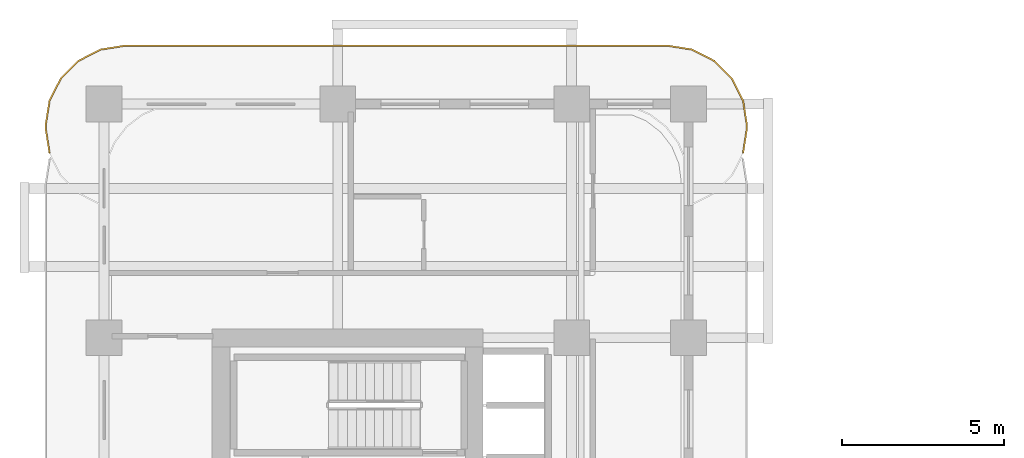
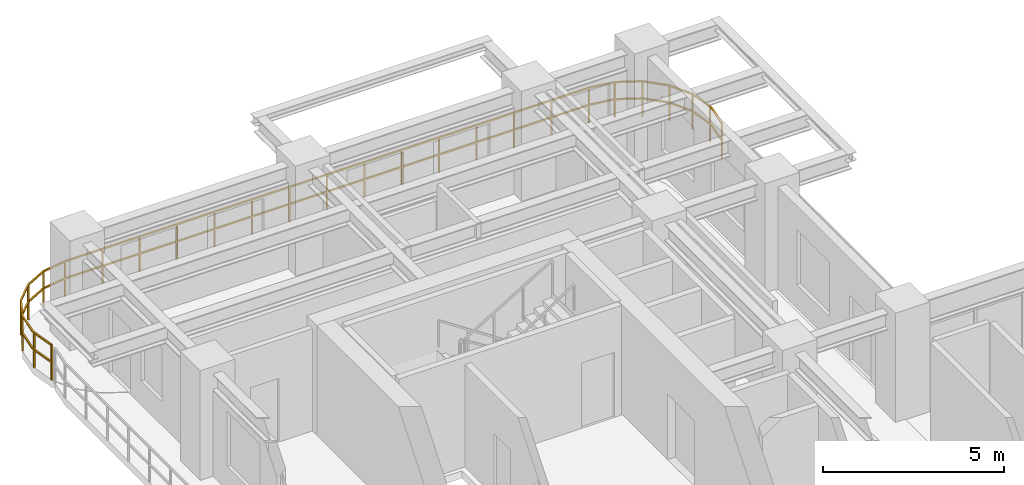
# One storey, part 22 of 22: 1 railing.
"""IFC4 building model written with IfcOpenShell, lengths in metres."""

from ifc_helpers import new_model, si_unit, derived_unit, direction, frame, origin, origin_2d, place, context, subcontext, project, spatial, rectangle, extrude, material, type_object, element, save


model = new_model("IFC4")

# Units and contexts
model_context = context("Model", 3, precision=1e-05, world=origin(), true_north=direction((0.0, 1.0)))
body_context = subcontext(model_context, "Body", "Model", "MODEL_VIEW")
ifc_project = project(units=[si_unit("LENGTHUNIT", "METRE"), si_unit("AREAUNIT", "SQUARE_METRE"), si_unit("VOLUMEUNIT", "CUBIC_METRE"), si_unit("PLANEANGLEUNIT", "RADIAN"), si_unit("MASSUNIT", "GRAM", prefix="KILO"), si_unit("THERMODYNAMICTEMPERATUREUNIT", "KELVIN"), si_unit("POWERUNIT", "WATT"), derived_unit("THERMALTRANSMITTANCEUNIT", [(si_unit("POWERUNIT", "WATT"), 1), (si_unit("AREAUNIT", "SQUARE_METRE"), -1), (si_unit("THERMODYNAMICTEMPERATUREUNIT", "KELVIN"), -1)])], contexts=[model_context])

# Site, building, storey
site_placement = place(None, origin())
site = spatial("IfcSite", under=ifc_project, at=site_placement, CompositionType="ELEMENT")
building_placement = place(site_placement, origin())
building = spatial("IfcBuilding", under=site, at=building_placement, Name="Zahravan Archway Hotel and Residences", CompositionType="ELEMENT")
storey_placement = place(building_placement, frame((0.0, 0.0, 73.10009765625)))
storey = spatial("IfcBuildingStorey", under=building, at=storey_placement, Name="L17", CompositionType="ELEMENT", Elevation=73.10009765625)

# Railing
ifc_material = material(Name="Bronze & Laminated Glass Balustrade", Category="glass")
railing_type = type_object("IfcRailingType", Name="RL-BAL-1200", PredefinedType="BALUSTRADE", material=ifc_material)
railing_placement = place(storey_placement, frame((-1.68017578125, 45.29296875, 0.0)))
element("IfcRailing", 1, at=railing_placement, inside=storey, type_object=railing_type, Name="L17 Balustrade RL-SLB-BAL-L17-NB-1", PredefinedType="BALUSTRADE", context=body_context, shape_type="SweptSolid", body=[
    extrude(rectangle(XDim=0.048095703125, YDim=0.048095703125, at=origin_2d()), frame((0.0, 0.0, 1.17578125), z_axis=(-0.156387811283, 0.987695728695, 0.0), x_axis=(-0.987695728695, -0.156387811283, 0.0)), (0.0, 0.0, 1.0), 0.7666015625),
    extrude(rectangle(XDim=0.048095703125, YDim=0.048095703125, at=origin_2d()), frame((0.0, 0.0, 0.60009765625), z_axis=(-0.156387811283, 0.987695728695, 0.0), x_axis=(-0.987695728695, -0.156387811283, 0.0)), (0.0, 0.0, 1.0), 0.7666015625),
    extrude(rectangle(XDim=0.048095703125, YDim=0.048095703125, at=origin_2d()), frame((-0.119873046875, 0.757080078125, 1.17578125), z_axis=(0.0, 1.0, 0.0), x_axis=(-1.0, 0.0, 0.0)), (0.0, 0.0, 1.0), 0.099853515625),
    extrude(rectangle(XDim=0.048095703125, YDim=0.048095703125, at=origin_2d()), frame((-0.119873046875, 0.757080078125, 0.60009765625), z_axis=(0.0, 1.0, 0.0), x_axis=(-1.0, 0.0, 0.0)), (0.0, 0.0, 1.0), 0.099853515625),
    extrude(rectangle(XDim=0.048095703125, YDim=0.048095703125, at=origin_2d()), frame((-0.119873046875, 0.85693359375, 1.17578125), z_axis=(0.156387811283, 0.987695728695, 0.0), x_axis=(-0.987695728695, 0.156387811283, 0.0)), (0.0, 0.0, 1.0), 0.7666015625),
    extrude(rectangle(XDim=0.048095703125, YDim=0.048095703125, at=origin_2d()), frame((-0.119873046875, 0.85693359375, 0.60009765625), z_axis=(0.156387811283, 0.987695728695, 0.0), x_axis=(-0.987695728695, 0.156387811283, 0.0)), (0.0, 0.0, 1.0), 0.7666015625),
    extrude(rectangle(XDim=0.048095703125, YDim=0.048095703125, at=origin_2d()), frame((0.0, 1.614013671875, 1.17578125), z_axis=(0.454078418624, 0.890961721815, 0.0), x_axis=(-0.890961721815, 0.454078418624, 0.0)), (0.0, 0.0, 1.0), 0.7666015625),
    extrude(rectangle(XDim=0.048095703125, YDim=0.048095703125, at=origin_2d()), frame((0.0, 1.614013671875, 0.60009765625), z_axis=(0.454078418624, 0.890961721815, 0.0), x_axis=(-0.890961721815, 0.454078418624, 0.0)), (0.0, 0.0, 1.0), 0.7666015625),
    extrude(rectangle(XDim=0.048095703125, YDim=0.048095703125, at=origin_2d()), frame((0.34814453125, 2.297119140625, 1.17578125), z_axis=(0.707106781187, 0.707106781187, 0.0), x_axis=(-0.707106781187, 0.707106781187, 0.0)), (0.0, 0.0, 1.0), 0.7666015625),
    extrude(rectangle(XDim=0.048095703125, YDim=0.048095703125, at=origin_2d()), frame((0.34814453125, 2.297119140625, 0.60009765625), z_axis=(0.707106781187, 0.707106781187, 0.0), x_axis=(-0.707106781187, 0.707106781187, 0.0)), (0.0, 0.0, 1.0), 0.7666015625),
    extrude(rectangle(XDim=0.048095703125, YDim=0.048095703125, at=origin_2d()), frame((0.89013671875, 2.839111328125, 1.17578125), z_axis=(0.891024909783, 0.453954414172, 0.0), x_axis=(-0.453954414172, 0.891024909783, 0.0)), (0.0, 0.0, 1.0), 0.766357421875),
    extrude(rectangle(XDim=0.048095703125, YDim=0.048095703125, at=origin_2d()), frame((0.89013671875, 2.839111328125, 0.60009765625), z_axis=(0.891024909783, 0.453954414172, 0.0), x_axis=(-0.453954414172, 0.891024909783, 0.0)), (0.0, 0.0, 1.0), 0.766357421875),
    extrude(rectangle(XDim=0.048095703125, YDim=0.048095703125, at=origin_2d()), frame((1.572998046875, 3.18701171875, 1.17578125), z_axis=(0.987646484274, 0.156698507018, 0.0), x_axis=(-0.156698507018, 0.987646484274, 0.0)), (0.0, 0.0, 1.0), 0.7666015625),
    extrude(rectangle(XDim=0.048095703125, YDim=0.048095703125, at=origin_2d()), frame((1.572998046875, 3.18701171875, 0.60009765625), z_axis=(0.987646484274, 0.156698507018, 0.0), x_axis=(-0.156698507018, 0.987646484274, 0.0)), (0.0, 0.0, 1.0), 0.7666015625),
    extrude(rectangle(XDim=0.048095703125, YDim=0.048095703125, at=origin_2d()), frame((2.330078125, 3.30712890625, 1.17578125), z_axis=(1.0, 0.0, 0.0), x_axis=(0.0, 1.0, 0.0)), (0.0, 0.0, 1.0), 16.7001953125),
    extrude(rectangle(XDim=0.048095703125, YDim=0.048095703125, at=origin_2d()), frame((2.330078125, 3.30712890625, 0.60009765625), z_axis=(1.0, 0.0, 0.0), x_axis=(0.0, 1.0, 0.0)), (0.0, 0.0, 1.0), 16.7001953125),
    extrude(rectangle(XDim=0.048095703125, YDim=0.048095703125, at=origin_2d()), frame((19.0302734375, 3.30712890625, 1.17578125), z_axis=(0.987646484274, -0.156698507018, 0.0), x_axis=(0.156698507018, 0.987646484274, 0.0)), (0.0, 0.0, 1.0), 0.7666015625),
    extrude(rectangle(XDim=0.048095703125, YDim=0.048095703125, at=origin_2d()), frame((19.0302734375, 3.30712890625, 0.60009765625), z_axis=(0.987646484274, -0.156698507018, 0.0), x_axis=(0.156698507018, 0.987646484274, 0.0)), (0.0, 0.0, 1.0), 0.7666015625),
    extrude(rectangle(XDim=0.048095703125, YDim=0.048095703125, at=origin_2d()), frame((19.787353515625, 3.18701171875, 1.17578125), z_axis=(0.891024909783, -0.453954414172, 0.0), x_axis=(0.453954414172, 0.891024909783, 0.0)), (0.0, 0.0, 1.0), 0.766357421875),
    extrude(rectangle(XDim=0.048095703125, YDim=0.048095703125, at=origin_2d()), frame((19.787353515625, 3.18701171875, 0.60009765625), z_axis=(0.891024909783, -0.453954414172, 0.0), x_axis=(0.453954414172, 0.891024909783, 0.0)), (0.0, 0.0, 1.0), 0.766357421875),
    extrude(rectangle(XDim=0.048095703125, YDim=0.048095703125, at=origin_2d()), frame((20.47021484375, 2.839111328125, 1.17578125), z_axis=(0.707106781187, -0.707106781187, 0.0), x_axis=(0.707106781187, 0.707106781187, 0.0)), (0.0, 0.0, 1.0), 0.7666015625),
    extrude(rectangle(XDim=0.048095703125, YDim=0.048095703125, at=origin_2d()), frame((20.47021484375, 2.839111328125, 0.60009765625), z_axis=(0.707106781187, -0.707106781187, 0.0), x_axis=(0.707106781187, 0.707106781187, 0.0)), (0.0, 0.0, 1.0), 0.7666015625),
    extrude(rectangle(XDim=0.048095703125, YDim=0.048095703125, at=origin_2d()), frame((21.01220703125, 2.297119140625, 1.17578125), z_axis=(0.454078418624, -0.890961721815, 0.0), x_axis=(0.890961721815, 0.454078418624, 0.0)), (0.0, 0.0, 1.0), 0.7666015625),
    extrude(rectangle(XDim=0.048095703125, YDim=0.048095703125, at=origin_2d()), frame((21.01220703125, 2.297119140625, 0.60009765625), z_axis=(0.454078418624, -0.890961721815, 0.0), x_axis=(0.890961721815, 0.454078418624, 0.0)), (0.0, 0.0, 1.0), 0.7666015625),
    extrude(rectangle(XDim=0.048095703125, YDim=0.048095703125, at=origin_2d()), frame((21.3603515625, 1.614013671875, 1.17578125), z_axis=(0.156387811283, -0.987695728695, 0.0), x_axis=(0.987695728695, 0.156387811283, 0.0)), (0.0, 0.0, 1.0), 0.7666015625),
    extrude(rectangle(XDim=0.048095703125, YDim=0.048095703125, at=origin_2d()), frame((21.3603515625, 1.614013671875, 0.60009765625), z_axis=(0.156387811283, -0.987695728695, 0.0), x_axis=(0.987695728695, 0.156387811283, 0.0)), (0.0, 0.0, 1.0), 0.7666015625),
    extrude(rectangle(XDim=0.048095703125, YDim=0.048095703125, at=origin_2d()), frame((21.480224609375, 0.85693359375, 1.17578125), z_axis=(0.0, -1.0, 0.0), x_axis=(1.0, 0.0, 0.0)), (0.0, 0.0, 1.0), 0.099853515625),
    extrude(rectangle(XDim=0.048095703125, YDim=0.048095703125, at=origin_2d()), frame((21.480224609375, 0.85693359375, 0.60009765625), z_axis=(0.0, -1.0, 0.0), x_axis=(1.0, 0.0, 0.0)), (0.0, 0.0, 1.0), 0.099853515625),
    extrude(rectangle(XDim=0.048095703125, YDim=0.048095703125, at=origin_2d()), frame((21.480224609375, 0.757080078125, 1.17578125), z_axis=(-0.156387811283, -0.987695728695, 0.0), x_axis=(0.987695728695, -0.156387811283, 0.0)), (0.0, 0.0, 1.0), 0.7666015625),
    extrude(rectangle(XDim=0.048095703125, YDim=0.048095703125, at=origin_2d()), frame((21.480224609375, 0.757080078125, 0.60009765625), z_axis=(-0.156387811283, -0.987695728695, 0.0), x_axis=(0.987695728695, -0.156387811283, 0.0)), (0.0, 0.0, 1.0), 0.7666015625),
    extrude(rectangle(XDim=0.0419921875, YDim=0.0419921875, at=origin_2d()), origin(), (0.0, 0.0, 1.0), 1.15185546875),
    extrude(rectangle(XDim=0.0419921875, YDim=0.0419921875, at=origin_2d()), frame((-0.119873046875, 0.757080078125, 0.0)), (0.0, 0.0, 1.0), 1.15185546875),
    extrude(rectangle(XDim=0.0419921875, YDim=0.0419921875, at=origin_2d()), frame((0.0, 1.614013671875, 0.0)), (0.0, 0.0, 1.0), 1.15185546875),
    extrude(rectangle(XDim=0.0419921875, YDim=0.0419921875, at=origin_2d()), frame((0.34814453125, 2.297119140625, 0.0)), (0.0, 0.0, 1.0), 1.15185546875),
    extrude(rectangle(XDim=0.0419921875, YDim=0.0419921875, at=origin_2d()), frame((0.89013671875, 2.839111328125, 0.0)), (0.0, 0.0, 1.0), 1.15185546875),
    extrude(rectangle(XDim=0.0419921875, YDim=0.0419921875, at=origin_2d()), frame((1.572998046875, 3.18701171875, 0.0)), (0.0, 0.0, 1.0), 1.15185546875),
    extrude(rectangle(XDim=0.0419921875, YDim=0.0419921875, at=origin_2d()), frame((2.330078125, 3.30712890625, 0.0)), (0.0, 0.0, 1.0), 1.15185546875),
    extrude(rectangle(XDim=0.0419921875, YDim=0.0419921875, at=origin_2d()), frame((3.52294921875, 3.30712890625, 0.0)), (0.0, 0.0, 1.0), 1.15185546875),
    extrude(rectangle(XDim=0.0419921875, YDim=0.0419921875, at=origin_2d()), frame((4.7158203125, 3.30712890625, 0.0)), (0.0, 0.0, 1.0), 1.15185546875),
    extrude(rectangle(XDim=0.0419921875, YDim=0.0419921875, at=origin_2d()), frame((5.90869140625, 3.30712890625, 0.0)), (0.0, 0.0, 1.0), 1.15185546875),
    extrude(rectangle(XDim=0.0419921875, YDim=0.0419921875, at=origin_2d()), frame((7.1015625, 3.30712890625, 0.0)), (0.0, 0.0, 1.0), 1.15185546875),
    extrude(rectangle(XDim=0.0419921875, YDim=0.0419921875, at=origin_2d()), frame((8.29443359375, 3.30712890625, 0.0)), (0.0, 0.0, 1.0), 1.15185546875),
    extrude(rectangle(XDim=0.0419921875, YDim=0.0419921875, at=origin_2d()), frame((9.4873046875, 3.30712890625, 0.0)), (0.0, 0.0, 1.0), 1.15185546875),
    extrude(rectangle(XDim=0.0419921875, YDim=0.0419921875, at=origin_2d()), frame((10.68017578125, 3.30712890625, 0.0)), (0.0, 0.0, 1.0), 1.15185546875),
    extrude(rectangle(XDim=0.0419921875, YDim=0.0419921875, at=origin_2d()), frame((11.873046875, 3.30712890625, 0.0)), (0.0, 0.0, 1.0), 1.15185546875),
    extrude(rectangle(XDim=0.0419921875, YDim=0.0419921875, at=origin_2d()), frame((13.06591796875, 3.30712890625, 0.0)), (0.0, 0.0, 1.0), 1.15185546875),
    extrude(rectangle(XDim=0.0419921875, YDim=0.0419921875, at=origin_2d()), frame((14.2587890625, 3.30712890625, 0.0)), (0.0, 0.0, 1.0), 1.15185546875),
    extrude(rectangle(XDim=0.0419921875, YDim=0.0419921875, at=origin_2d()), frame((15.45166015625, 3.30712890625, 0.0)), (0.0, 0.0, 1.0), 1.15185546875),
    extrude(rectangle(XDim=0.0419921875, YDim=0.0419921875, at=origin_2d()), frame((16.64453125, 3.30712890625, 0.0)), (0.0, 0.0, 1.0), 1.15185546875),
    extrude(rectangle(XDim=0.0419921875, YDim=0.0419921875, at=origin_2d()), frame((17.83740234375, 3.30712890625, 0.0)), (0.0, 0.0, 1.0), 1.15185546875),
    extrude(rectangle(XDim=0.0419921875, YDim=0.0419921875, at=origin_2d()), frame((19.0302734375, 3.30712890625, 0.0)), (0.0, 0.0, 1.0), 1.15185546875),
    extrude(rectangle(XDim=0.0419921875, YDim=0.0419921875, at=origin_2d()), frame((19.787353515625, 3.18701171875, 0.0)), (0.0, 0.0, 1.0), 1.15185546875),
    extrude(rectangle(XDim=0.0419921875, YDim=0.0419921875, at=origin_2d()), frame((20.47021484375, 2.839111328125, 0.0)), (0.0, 0.0, 1.0), 1.15185546875),
    extrude(rectangle(XDim=0.0419921875, YDim=0.0419921875, at=origin_2d()), frame((21.01220703125, 2.297119140625, 0.0)), (0.0, 0.0, 1.0), 1.15185546875),
    extrude(rectangle(XDim=0.0419921875, YDim=0.0419921875, at=origin_2d()), frame((21.3603515625, 1.614013671875, 0.0)), (0.0, 0.0, 1.0), 1.15185546875),
    extrude(rectangle(XDim=0.0419921875, YDim=0.0419921875, at=origin_2d()), frame((21.480224609375, 0.85693359375, 0.0)), (0.0, 0.0, 1.0), 1.15185546875),
    extrude(rectangle(XDim=0.0419921875, YDim=0.0419921875, at=origin_2d()), frame((21.3603515625, 0.0, 0.0)), (0.0, 0.0, 1.0), 1.15185546875),
])

save(model, "model.ifc")
